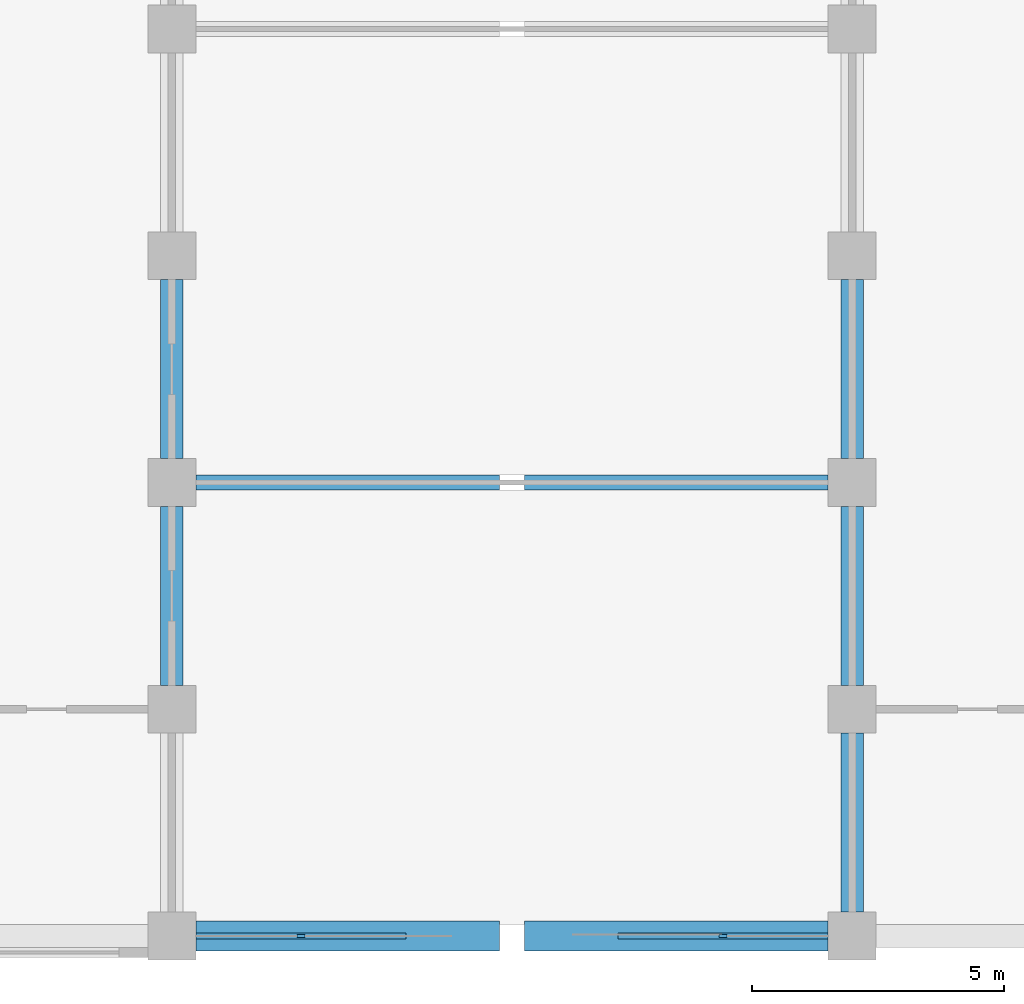
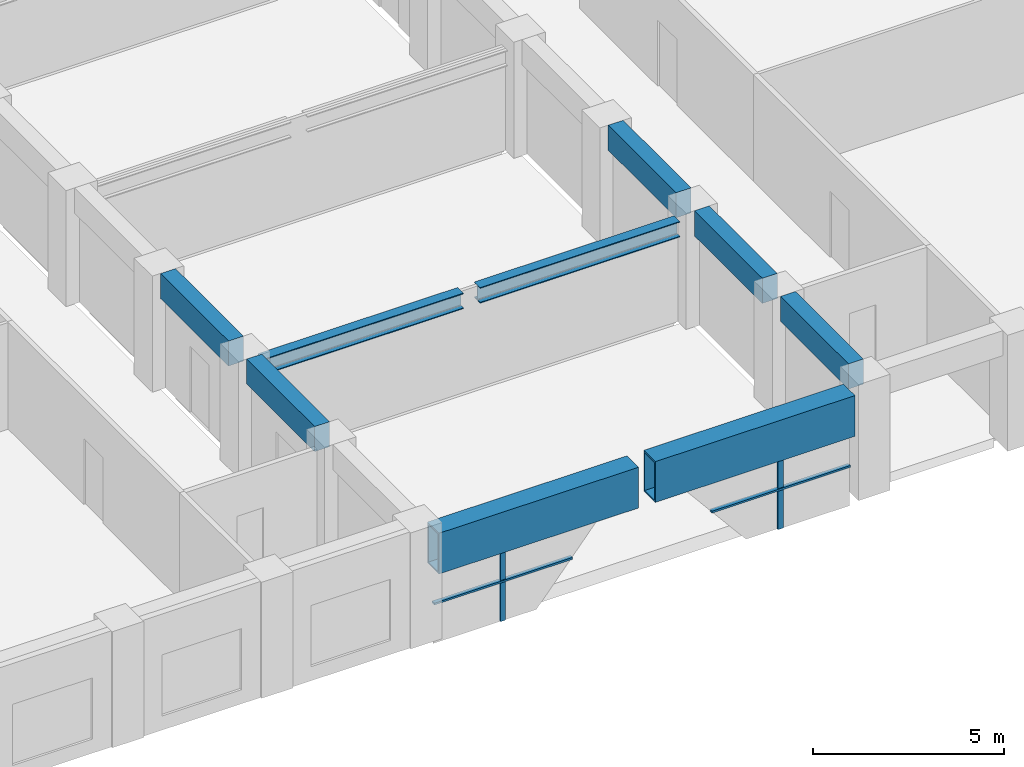
# One storey, part 2 of 14: 8 members, 5 beams, 2 elements without a shape of their own.
"""IFC4 building model written with IfcOpenShell, lengths in metres."""

import ifcopenshell
import ifcopenshell.guid

model = None  # the IFC model being written
_history = None  # IfcOwnerHistory: only IFC2X3 demands one
_inside = {}  # id of a spatial element -> (the spatial element, [elements in it])
_under = {}  # id of a project, library or spatial element -> (it, [spatial elements below it])
_declared = {}  # id of a project -> (the project, [libraries it declares])
_typed = {}  # id of a type object -> (the type object, [elements of that type])
_made_of = {}  # id of a material, layer set ... -> (it, [elements and type objects made of it])


def new_model(schema):
    """Start an empty IFC model of exactly this schema.

    Asked for "IFC4X3", IfcOpenShell would pick the latest addendum, in which some entities
    have other attributes; the version numbers below select the first issue.
    IFC2X3 requires an IfcOwnerHistory on every rooted entity: one is made here for all.
    """
    global model, _history
    if schema == "IFC4X3":
        model = ifcopenshell.file(schema_version=(4, 3, 0, 0))
    else:
        model = ifcopenshell.file(schema=schema)
    _inside.clear()
    _under.clear()
    _declared.clear()
    _typed.clear()
    _made_of.clear()
    _history = None
    if model.schema == "IFC2X3":
        org = make("IfcOrganization", Name="unknown")
        user = make(
            "IfcPersonAndOrganization",
            ThePerson=make("IfcPerson", FamilyName="unknown"),
            TheOrganization=org,
        )
        app = make(
            "IfcApplication",
            ApplicationDeveloper=org,
            Version="unknown",
            ApplicationFullName="unknown",
            ApplicationIdentifier="unknown",
        )
        _history = make(
            "IfcOwnerHistory",
            OwningUser=user,
            OwningApplication=app,
            ChangeAction="ADDED",
            CreationDate=0,
        )
    return model


def make(cls, **values):
    """One entity of the class cls with the attributes given. An attribute that is None is left unset."""
    return model.create_entity(
        cls, **{name: value for name, value in values.items() if value is not None}
    )


def rooted(cls, **values):
    """An entity with a GlobalId (a new one), such as an element, a storey or a relation."""
    return make(cls, GlobalId=ifcopenshell.guid.new(), OwnerHistory=_history, **values)


def si_unit(unit_type, name, prefix=None):
    """IfcSIUnit, for example si_unit("LENGTHUNIT", "METRE", prefix="MILLI")."""
    return make("IfcSIUnit", UnitType=unit_type, Prefix=prefix, Name=name)


def assignment(units):
    """IfcUnitAssignment: the units of a project."""
    return None if units is None else make("IfcUnitAssignment", Units=units)


def point(xyz):
    """IfcCartesianPoint."""
    return None if xyz is None else make("IfcCartesianPoint", Coordinates=xyz)


def direction(xyz):
    """IfcDirection."""
    return None if xyz is None else make("IfcDirection", DirectionRatios=xyz)


def frame(location, z_axis=None, x_axis=None):
    """IfcAxis2Placement3D, a coordinate frame: its origin and axes. An axis left out is left unset."""
    return make(
        "IfcAxis2Placement3D",
        Location=point(location),
        Axis=direction(z_axis),
        RefDirection=direction(x_axis),
    )


def frame_2d(location, x_axis=None):
    """IfcAxis2Placement2D, a coordinate frame in the plane: its origin and x axis."""
    return make(
        "IfcAxis2Placement2D", Location=point(location), RefDirection=direction(x_axis)
    )


def origin():
    """The frame at (0, 0, 0) with its axes left unset."""
    return frame((0.0, 0.0, 0.0))


def origin_2d():
    """The frame at (0, 0) in the plane with its x axis left unset."""
    return frame_2d((0.0, 0.0))


def place(relative_to, where):
    """IfcLocalPlacement: puts the frame where relative to a parent placement (None: the world)."""
    return make(
        "IfcLocalPlacement", PlacementRelTo=relative_to, RelativePlacement=where
    )


def context(
    kind, dimensions, precision=None, world=None, true_north=None, identifier=None
):
    """IfcGeometricRepresentationContext, for example the 3D "Model" context."""
    return make(
        "IfcGeometricRepresentationContext",
        ContextIdentifier=identifier,
        ContextType=kind,
        CoordinateSpaceDimension=dimensions,
        Precision=precision,
        WorldCoordinateSystem=world,
        TrueNorth=true_north,
    )


def subcontext(parent, identifier, kind, view, scale=None):
    """IfcGeometricRepresentationSubContext, for example "Body" below "Model"."""
    return make(
        "IfcGeometricRepresentationSubContext",
        ContextIdentifier=identifier,
        ContextType=kind,
        ParentContext=parent,
        TargetScale=scale,
        TargetView=view,
    )


def project(units=None, contexts=None):
    """IfcProject with its units and contexts."""
    return rooted(
        "IfcProject",
        Name="project",
        RepresentationContexts=contexts,
        UnitsInContext=assignment(units),
    )


def spatial(cls, under=None, at=None, **own):
    """A site, building, storey or space (cls), placed at a placement, below another one or the project."""
    s = rooted(cls, ObjectPlacement=at, **own)
    if under is not None:
        _under.setdefault(under.id(), (under, []))[1].append(s)
    return s


def profile(cls, at=None, kind="AREA", **sizes):
    """A parametric profile (cls). Its sizes go by their IFC names, for example OverallWidth=200.0."""
    return make(cls, ProfileType=kind, Position=at, **sizes)


def rectangle(**sizes):
    """IfcRectangleProfileDef."""
    return profile("IfcRectangleProfileDef", **sizes)


def hollow_rectangle(**sizes):
    """IfcRectangleHollowProfileDef."""
    return profile("IfcRectangleHollowProfileDef", **sizes)


def i_section(**sizes):
    """IfcIShapeProfileDef."""
    return profile("IfcIShapeProfileDef", **sizes)


def extrude(swept, where, along, depth):
    """IfcExtrudedAreaSolid: the profile swept, set in the frame where, extruded along a direction by depth."""
    return make(
        "IfcExtrudedAreaSolid",
        SweptArea=swept,
        Position=where,
        ExtrudedDirection=direction(along),
        Depth=depth,
    )


def shape(context_of_items, identifier, shape_type, items):
    """IfcShapeRepresentation: the items that make up one representation, for example the "Body"."""
    return make(
        "IfcShapeRepresentation",
        ContextOfItems=context_of_items,
        RepresentationIdentifier=identifier,
        RepresentationType=shape_type,
        Items=items,
    )


def material(Name=None, Category=None):
    """IfcMaterial."""
    return make("IfcMaterial", Name=Name, Category=Category)


def material_profile(
    of_material, cross_section, Name=None, Category=None, Priority=None
):
    """IfcMaterialProfile: a cross section and its material."""
    return make(
        "IfcMaterialProfile",
        Name=Name,
        Material=of_material,
        Profile=cross_section,
        Priority=Priority,
        Category=Category,
    )


def profile_set(profiles, Name=None, composite=None):
    """IfcMaterialProfileSet."""
    return make(
        "IfcMaterialProfileSet",
        Name=Name,
        MaterialProfiles=profiles,
        CompositeProfile=composite,
    )


def made_of(thing, what):
    """Note that an element or type object is made of a material, layer set ...; save() writes the relation."""
    if what is not None:
        _made_of.setdefault(what.id(), (what, []))[1].append(thing)
    return thing


def type_object(cls, material=None, **own):
    """A type object (cls), such as IfcWallType, which elements share."""
    return made_of(rooted(cls, **own), material)


def element(
    cls,
    number,
    at=None,
    inside=None,
    cuts=None,
    type_object=None,
    material=None,
    context=None,
    identifier="Body",
    shape_type=None,
    held_by="IfcProductDefinitionShape",
    body=None,
    shapes=None,
    **own,
):
    """One element of the class cls, such as IfcWall. Its Tag is "e" and its number.

    at: its placement. inside: the storey or other place that contains it. cuts: it is an
    opening in that element (IfcRelVoidsElement). A single representation is given by context,
    identifier, shape_type and body (its items); several are given by shapes. held_by: the class
    of the entity that holds the representations. save() writes the other relations.
    """
    e = rooted(cls, Tag="e%d" % number, ObjectPlacement=at, **own)
    if body is not None:
        shapes = [shape(context, identifier, shape_type, body)]
    if shapes is not None:
        e.Representation = make(held_by, Representations=shapes)
    if inside is not None:
        _inside.setdefault(inside.id(), (inside, []))[1].append(e)
    if cuts is not None:
        rooted(
            "IfcRelVoidsElement", RelatingBuildingElement=cuts, RelatedOpeningElement=e
        )
    if type_object is not None:
        _typed.setdefault(type_object.id(), (type_object, []))[1].append(e)
    return made_of(e, material)


def aggregate(whole, parts):
    """IfcRelAggregates: a whole, such as a stair, and the parts it consists of."""
    return rooted("IfcRelAggregates", RelatingObject=whole, RelatedObjects=parts)


def save(model, path):
    """Write the relations noted so far, then the file.

    IfcRelAggregates (storeys below a building ...), IfcRelContainedInSpatialStructure (elements
    in a storey), IfcRelDefinesByType, IfcRelAssociatesMaterial and IfcRelDeclares: one each for
    every whole, place, type object, material and project.
    """
    for whole, parts in _under.values():
        aggregate(whole, parts)
    for where, things in _inside.values():
        rooted(
            "IfcRelContainedInSpatialStructure",
            RelatedElements=things,
            RelatingStructure=where,
        )
    for kind, things in _typed.values():
        rooted("IfcRelDefinesByType", RelatedObjects=things, RelatingType=kind)
    for what, things in _made_of.values():
        rooted("IfcRelAssociatesMaterial", RelatedObjects=things, RelatingMaterial=what)
    for by, libraries in _declared.values():
        rooted("IfcRelDeclares", RelatingContext=by, RelatedDefinitions=libraries)
    model.write(path)


model = new_model("IFC4")

# Units and contexts
model_context = context("Model", 3, precision=1e-05, world=origin(), true_north=direction((0.0, 1.0)))
body_context = subcontext(model_context, "Body", "Model", "MODEL_VIEW")
ifc_project = project(units=[si_unit("LENGTHUNIT", "METRE"), si_unit("AREAUNIT", "SQUARE_METRE"), si_unit("VOLUMEUNIT", "CUBIC_METRE"), si_unit("PLANEANGLEUNIT", "RADIAN"), si_unit("MASSUNIT", "GRAM", prefix="KILO")], contexts=[model_context])

# Site, building, storey
site_placement = place(None, origin())
site = spatial("IfcSite", under=ifc_project, at=site_placement, CompositionType="ELEMENT")
building_placement = place(site_placement, origin())
building = spatial("IfcBuilding", under=site, at=building_placement, Name="Girih Gate Residences", CompositionType="ELEMENT")
storey_placement = place(building_placement, frame((0.0, 0.0, 172.60009765625)))
storey = spatial("IfcBuildingStorey", under=building, at=storey_placement, Name="L47", CompositionType="ELEMENT", Elevation=172.60009765625)

# Members
ifc_material_1 = material(Name="Steel S460", Category="steel")
ifc_material_profile_1 = material_profile(ifc_material_1, i_section(OverallWidth=0.300048828125, OverallDepth=0.5, WebThickness=0.014404296875, FlangeThickness=0.028076171875, FilletRadius=0.027099609375, at=origin_2d()))
ifc_profile_set_1 = profile_set([ifc_material_profile_1], Name="Steel S460")
member_type_1 = type_object("IfcMemberType", Name="Bridge truss chord HE 500 B Steel S460", PredefinedType="CHORD", material=ifc_profile_set_1)
for number, where, z_axis, x_axis, name in (
    (1, (18.47509765625, 9.0, 3.0), (1.0, 0.0, 0.0), (0.0, 1.0, 0.0), "Bridge truss chord at 9"),
    (2, (25.0, 9.0, 3.0), (1.0, 0.0, 0.0), (0.0, 1.0, 0.0), "Bridge truss chord at 9"),
):
    element("IfcMember", number, at=place(storey_placement, frame(where, z_axis=z_axis, x_axis=x_axis)), inside=storey, type_object=member_type_1, Name=name, PredefinedType="CHORD", context=body_context, shape_type="SweptSolid", body=[
        extrude(i_section(OverallWidth=0.300048828125, OverallDepth=0.5, WebThickness=0.014404296875, FlangeThickness=0.028076171875, FilletRadius=0.027099609375, at=origin_2d()), origin(), (0.0, 0.0, 1.0), 6.02490234375),
    ])
ifc_material_profile_2 = material_profile(ifc_material_1, hollow_rectangle(XDim=0.60009765625, YDim=1.300048828125, WallThickness=0.050048828125, at=origin_2d()))
ifc_profile_set_2 = profile_set([ifc_material_profile_2], Name="Steel S460")
member_type_2 = type_object("IfcMemberType", Name="Bridge truss transfer chord BOX 1300x600x50 Steel S460", PredefinedType="CHORD", material=ifc_profile_set_2)
for number, where, z_axis, x_axis, name in (
    (3, (18.47509765625, 0.0, 2.599853515625), (1.0, 0.0, 0.0), (0.0, 1.0, 0.0), "Bridge truss chord at 0"),
    (4, (25.0, 0.0, 2.599853515625), (1.0, 0.0, 0.0), (0.0, 1.0, 0.0), "Bridge truss chord at 0"),
):
    element("IfcMember", number, at=place(storey_placement, frame(where, z_axis=z_axis, x_axis=x_axis)), inside=storey, type_object=member_type_2, Name=name, PredefinedType="CHORD", context=body_context, shape_type="SweptSolid", body=[
        extrude(hollow_rectangle(XDim=0.60009765625, YDim=1.300048828125, WallThickness=0.050048828125, at=origin_2d()), origin(), (0.0, 0.0, 1.0), 6.02490234375),
    ])

# Curtain wall, member
ifc_material_2 = material(Name="Aluminium curtain wall frame", Category="aluminium")
curtain_wall_type = type_object("IfcCurtainWallType", Name="Curtain wall CW-4 bridge glazing", PredefinedType="NOTDEFINED", material=ifc_material_2)
curtain_wall_1_placement = place(storey_placement, origin())
curtain_wall_1 = element("IfcCurtainWall", 5, at=curtain_wall_1_placement, inside=storey, type_object=curtain_wall_type, Name="CW-4 Bridge glazing S2", PredefinedType="NOTDEFINED")
ifc_material_profile_3 = material_profile(ifc_material_2, rectangle(XDim=0.06005859375, YDim=0.159912109375, at=origin_2d()))
ifc_profile_set_3 = profile_set([ifc_material_profile_3], Name="Aluminium curtain wall frame")
member_type_3 = type_object("IfcMemberType", Name="Curtain wall mullion 60x160", PredefinedType="MULLION", material=ifc_profile_set_3)
member_1_placement = place(storey_placement, frame((20.561767578125, 0.0, -0.43505859375), z_axis=(0.0, 0.0, 1.0), x_axis=(0.0, 1.0, 0.0)))
member_1 = element("IfcMember", 6, at=member_1_placement, type_object=member_type_3, Name="CW-4 mullion S2", PredefinedType="MULLION", context=body_context, shape_type="SweptSolid", body=[
    extrude(rectangle(XDim=0.06005859375, YDim=0.159912109375, at=origin_2d()), origin(), (0.0, 0.0, 1.0), 2.369873046875),
])

curtain_wall_2_placement = place(storey_placement, origin())
curtain_wall_2 = element("IfcCurtainWall", 7, at=curtain_wall_2_placement, inside=storey, type_object=curtain_wall_type, Name="CW-4 Bridge glazing S5", PredefinedType="NOTDEFINED")
member_2_placement = place(storey_placement, frame((28.938232421875, 0.0, -0.43505859375), z_axis=(0.0, 0.0, 1.0), x_axis=(0.0, 1.0, 0.0)))
member_2 = element("IfcMember", 8, at=member_2_placement, type_object=member_type_3, Name="CW-4 mullion S5", PredefinedType="MULLION", context=body_context, shape_type="SweptSolid", body=[
    extrude(rectangle(XDim=0.06005859375, YDim=0.159912109375, at=origin_2d()), origin(), (0.0, 0.0, 1.0), 2.369873046875),
])

# Member
ifc_material_profile_4 = material_profile(ifc_material_2, rectangle(XDim=0.1201171875, YDim=0.06005859375, at=origin_2d()))
ifc_profile_set_4 = profile_set([ifc_material_profile_4], Name="Aluminium curtain wall frame")
member_type_4 = type_object("IfcMemberType", Name="Curtain wall transom 60x120", PredefinedType="USERDEFINED", material=ifc_profile_set_4)
member_3_placement = place(storey_placement, frame((18.47509765625, 0.0, 0.84521484375), z_axis=(1.0, 0.0, 0.0), x_axis=(0.0, 1.0, 0.0)))
member_3 = element("IfcMember", 9, at=member_3_placement, type_object=member_type_4, Name="CW-4 transom S2", ObjectType="TRANSOM", PredefinedType="USERDEFINED", context=body_context, shape_type="SweptSolid", body=[
    extrude(rectangle(XDim=0.1201171875, YDim=0.06005859375, at=origin_2d()), origin(), (0.0, 0.0, 1.0), 4.17333984375),
])

aggregate(curtain_wall_1, [member_1, member_3])

member_4_placement = place(storey_placement, frame((26.8515625, 0.0, 0.84521484375), z_axis=(1.0, 0.0, 0.0), x_axis=(0.0, 1.0, 0.0)))
member_4 = element("IfcMember", 10, at=member_4_placement, type_object=member_type_4, Name="CW-4 transom S5", ObjectType="TRANSOM", PredefinedType="USERDEFINED", context=body_context, shape_type="SweptSolid", body=[
    extrude(rectangle(XDim=0.1201171875, YDim=0.06005859375, at=origin_2d()), origin(), (0.0, 0.0, 1.0), 4.17333984375),
])

aggregate(curtain_wall_2, [member_2, member_4])

# Beams
ifc_material_3 = material(Name="Concrete C60/75", Category="concrete")
ifc_material_profile_5 = material_profile(ifc_material_3, rectangle(XDim=0.449951171875, YDim=0.800048828125, at=origin_2d()))
ifc_profile_set_5 = profile_set([ifc_material_profile_5], Name="Concrete C60/75")
beam_type = type_object("IfcBeamType", Name="Spandrel girder RC 450x800 Concrete C60/75", PredefinedType="BEAM", material=ifc_profile_set_5)
for number, where, z_axis, x_axis, name in (
    (11, (18.0, 4.97509765625, 3.2998046875), (0.0, 1.0, 0.0), (-1.0, 0.0, 0.0), "Spandrel girder SP-P5B-P5C L47"),
    (12, (18.0, 9.47509765625, 3.2998046875), (0.0, 1.0, 0.0), (-1.0, 0.0, 0.0), "Spandrel girder SP-P5C-P5D L47"),
    (13, (31.5, 0.47509765625, 3.2998046875), (0.0, 1.0, 0.0), (-1.0, 0.0, 0.0), "Spandrel girder SP-P8A-P8B L47"),
    (14, (31.5, 4.97509765625, 3.2998046875), (0.0, 1.0, 0.0), (-1.0, 0.0, 0.0), "Spandrel girder SP-P8B-P8C L47"),
    (15, (31.5, 9.47509765625, 3.2998046875), (0.0, 1.0, 0.0), (-1.0, 0.0, 0.0), "Spandrel girder SP-P8C-P8D L47"),
):
    element("IfcBeam", number, at=place(storey_placement, frame(where, z_axis=z_axis, x_axis=x_axis)), inside=storey, type_object=beam_type, Name=name, PredefinedType="BEAM", context=body_context, shape_type="SweptSolid", body=[
        extrude(rectangle(XDim=0.449951171875, YDim=0.800048828125, at=origin_2d()), origin(), (0.0, 0.0, 1.0), 3.5498046875),
    ])

save(model, "model.ifc")
